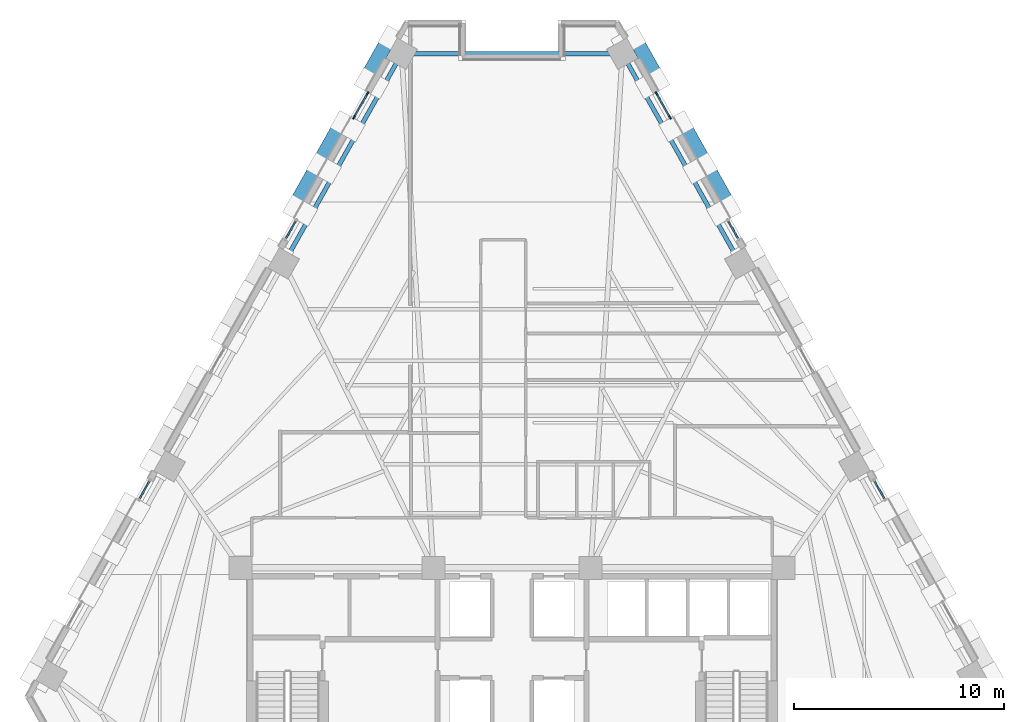
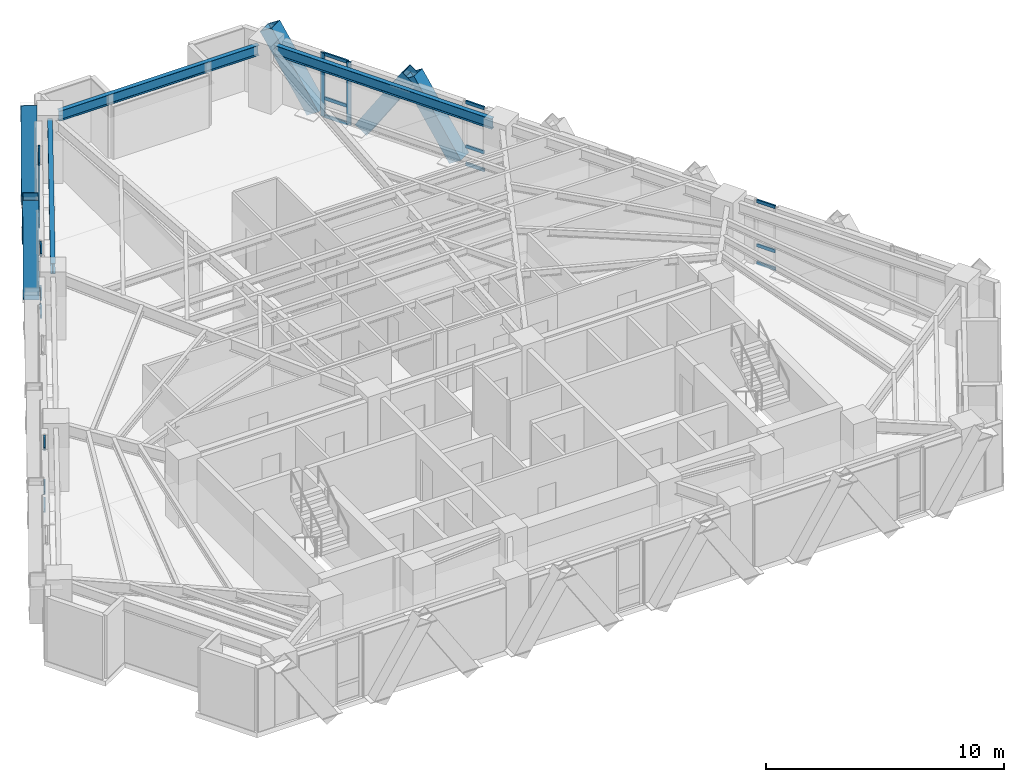
# One storey, part 5 of 13: 28 members, 3 beams, 6 elements without a shape of their own.
"""IFC4 building model written with IfcOpenShell, lengths in metres."""

import ifcopenshell
import ifcopenshell.guid

model = None  # the IFC model being written
_history = None  # IfcOwnerHistory: only IFC2X3 demands one
_inside = {}  # id of a spatial element -> (the spatial element, [elements in it])
_under = {}  # id of a project, library or spatial element -> (it, [spatial elements below it])
_declared = {}  # id of a project -> (the project, [libraries it declares])
_typed = {}  # id of a type object -> (the type object, [elements of that type])
_made_of = {}  # id of a material, layer set ... -> (it, [elements and type objects made of it])


def new_model(schema):
    """Start an empty IFC model of exactly this schema.

    Asked for "IFC4X3", IfcOpenShell would pick the latest addendum, in which some entities
    have other attributes; the version numbers below select the first issue.
    IFC2X3 requires an IfcOwnerHistory on every rooted entity: one is made here for all.
    """
    global model, _history
    if schema == "IFC4X3":
        model = ifcopenshell.file(schema_version=(4, 3, 0, 0))
    else:
        model = ifcopenshell.file(schema=schema)
    _inside.clear()
    _under.clear()
    _declared.clear()
    _typed.clear()
    _made_of.clear()
    _history = None
    if model.schema == "IFC2X3":
        org = make("IfcOrganization", Name="unknown")
        user = make(
            "IfcPersonAndOrganization",
            ThePerson=make("IfcPerson", FamilyName="unknown"),
            TheOrganization=org,
        )
        app = make(
            "IfcApplication",
            ApplicationDeveloper=org,
            Version="unknown",
            ApplicationFullName="unknown",
            ApplicationIdentifier="unknown",
        )
        _history = make(
            "IfcOwnerHistory",
            OwningUser=user,
            OwningApplication=app,
            ChangeAction="ADDED",
            CreationDate=0,
        )
    return model


def make(cls, **values):
    """One entity of the class cls with the attributes given. An attribute that is None is left unset."""
    return model.create_entity(
        cls, **{name: value for name, value in values.items() if value is not None}
    )


def rooted(cls, **values):
    """An entity with a GlobalId (a new one), such as an element, a storey or a relation."""
    return make(cls, GlobalId=ifcopenshell.guid.new(), OwnerHistory=_history, **values)


def si_unit(unit_type, name, prefix=None):
    """IfcSIUnit, for example si_unit("LENGTHUNIT", "METRE", prefix="MILLI")."""
    return make("IfcSIUnit", UnitType=unit_type, Prefix=prefix, Name=name)


def assignment(units):
    """IfcUnitAssignment: the units of a project."""
    return None if units is None else make("IfcUnitAssignment", Units=units)


def point(xyz):
    """IfcCartesianPoint."""
    return None if xyz is None else make("IfcCartesianPoint", Coordinates=xyz)


def direction(xyz):
    """IfcDirection."""
    return None if xyz is None else make("IfcDirection", DirectionRatios=xyz)


def frame(location, z_axis=None, x_axis=None):
    """IfcAxis2Placement3D, a coordinate frame: its origin and axes. An axis left out is left unset."""
    return make(
        "IfcAxis2Placement3D",
        Location=point(location),
        Axis=direction(z_axis),
        RefDirection=direction(x_axis),
    )


def frame_2d(location, x_axis=None):
    """IfcAxis2Placement2D, a coordinate frame in the plane: its origin and x axis."""
    return make(
        "IfcAxis2Placement2D", Location=point(location), RefDirection=direction(x_axis)
    )


def origin():
    """The frame at (0, 0, 0) with its axes left unset."""
    return frame((0.0, 0.0, 0.0))


def origin_2d():
    """The frame at (0, 0) in the plane with its x axis left unset."""
    return frame_2d((0.0, 0.0))


def place(relative_to, where):
    """IfcLocalPlacement: puts the frame where relative to a parent placement (None: the world)."""
    return make(
        "IfcLocalPlacement", PlacementRelTo=relative_to, RelativePlacement=where
    )


def context(
    kind, dimensions, precision=None, world=None, true_north=None, identifier=None
):
    """IfcGeometricRepresentationContext, for example the 3D "Model" context."""
    return make(
        "IfcGeometricRepresentationContext",
        ContextIdentifier=identifier,
        ContextType=kind,
        CoordinateSpaceDimension=dimensions,
        Precision=precision,
        WorldCoordinateSystem=world,
        TrueNorth=true_north,
    )


def subcontext(parent, identifier, kind, view, scale=None):
    """IfcGeometricRepresentationSubContext, for example "Body" below "Model"."""
    return make(
        "IfcGeometricRepresentationSubContext",
        ContextIdentifier=identifier,
        ContextType=kind,
        ParentContext=parent,
        TargetScale=scale,
        TargetView=view,
    )


def project(units=None, contexts=None):
    """IfcProject with its units and contexts."""
    return rooted(
        "IfcProject",
        Name="project",
        RepresentationContexts=contexts,
        UnitsInContext=assignment(units),
    )


def spatial(cls, under=None, at=None, **own):
    """A site, building, storey or space (cls), placed at a placement, below another one or the project."""
    s = rooted(cls, ObjectPlacement=at, **own)
    if under is not None:
        _under.setdefault(under.id(), (under, []))[1].append(s)
    return s


def profile(cls, at=None, kind="AREA", **sizes):
    """A parametric profile (cls). Its sizes go by their IFC names, for example OverallWidth=200.0."""
    return make(cls, ProfileType=kind, Position=at, **sizes)


def rectangle(**sizes):
    """IfcRectangleProfileDef."""
    return profile("IfcRectangleProfileDef", **sizes)


def hollow_rectangle(**sizes):
    """IfcRectangleHollowProfileDef."""
    return profile("IfcRectangleHollowProfileDef", **sizes)


def i_section(**sizes):
    """IfcIShapeProfileDef."""
    return profile("IfcIShapeProfileDef", **sizes)


def extrude(swept, where, along, depth):
    """IfcExtrudedAreaSolid: the profile swept, set in the frame where, extruded along a direction by depth."""
    return make(
        "IfcExtrudedAreaSolid",
        SweptArea=swept,
        Position=where,
        ExtrudedDirection=direction(along),
        Depth=depth,
    )


def shape(context_of_items, identifier, shape_type, items):
    """IfcShapeRepresentation: the items that make up one representation, for example the "Body"."""
    return make(
        "IfcShapeRepresentation",
        ContextOfItems=context_of_items,
        RepresentationIdentifier=identifier,
        RepresentationType=shape_type,
        Items=items,
    )


def material(Name=None, Category=None):
    """IfcMaterial."""
    return make("IfcMaterial", Name=Name, Category=Category)


def material_profile(
    of_material, cross_section, Name=None, Category=None, Priority=None
):
    """IfcMaterialProfile: a cross section and its material."""
    return make(
        "IfcMaterialProfile",
        Name=Name,
        Material=of_material,
        Profile=cross_section,
        Priority=Priority,
        Category=Category,
    )


def profile_set(profiles, Name=None, composite=None):
    """IfcMaterialProfileSet."""
    return make(
        "IfcMaterialProfileSet",
        Name=Name,
        MaterialProfiles=profiles,
        CompositeProfile=composite,
    )


def made_of(thing, what):
    """Note that an element or type object is made of a material, layer set ...; save() writes the relation."""
    if what is not None:
        _made_of.setdefault(what.id(), (what, []))[1].append(thing)
    return thing


def type_object(cls, material=None, **own):
    """A type object (cls), such as IfcWallType, which elements share."""
    return made_of(rooted(cls, **own), material)


def element(
    cls,
    number,
    at=None,
    inside=None,
    cuts=None,
    type_object=None,
    material=None,
    context=None,
    identifier="Body",
    shape_type=None,
    held_by="IfcProductDefinitionShape",
    body=None,
    shapes=None,
    **own,
):
    """One element of the class cls, such as IfcWall. Its Tag is "e" and its number.

    at: its placement. inside: the storey or other place that contains it. cuts: it is an
    opening in that element (IfcRelVoidsElement). A single representation is given by context,
    identifier, shape_type and body (its items); several are given by shapes. held_by: the class
    of the entity that holds the representations. save() writes the other relations.
    """
    e = rooted(cls, Tag="e%d" % number, ObjectPlacement=at, **own)
    if body is not None:
        shapes = [shape(context, identifier, shape_type, body)]
    if shapes is not None:
        e.Representation = make(held_by, Representations=shapes)
    if inside is not None:
        _inside.setdefault(inside.id(), (inside, []))[1].append(e)
    if cuts is not None:
        rooted(
            "IfcRelVoidsElement", RelatingBuildingElement=cuts, RelatedOpeningElement=e
        )
    if type_object is not None:
        _typed.setdefault(type_object.id(), (type_object, []))[1].append(e)
    return made_of(e, material)


def aggregate(whole, parts):
    """IfcRelAggregates: a whole, such as a stair, and the parts it consists of."""
    return rooted("IfcRelAggregates", RelatingObject=whole, RelatedObjects=parts)


def save(model, path):
    """Write the relations noted so far, then the file.

    IfcRelAggregates (storeys below a building ...), IfcRelContainedInSpatialStructure (elements
    in a storey), IfcRelDefinesByType, IfcRelAssociatesMaterial and IfcRelDeclares: one each for
    every whole, place, type object, material and project.
    """
    for whole, parts in _under.values():
        aggregate(whole, parts)
    for where, things in _inside.values():
        rooted(
            "IfcRelContainedInSpatialStructure",
            RelatedElements=things,
            RelatingStructure=where,
        )
    for kind, things in _typed.values():
        rooted("IfcRelDefinesByType", RelatedObjects=things, RelatingType=kind)
    for what, things in _made_of.values():
        rooted("IfcRelAssociatesMaterial", RelatedObjects=things, RelatingMaterial=what)
    for by, libraries in _declared.values():
        rooted("IfcRelDeclares", RelatingContext=by, RelatedDefinitions=libraries)
    model.write(path)


model = new_model("IFC4")

# Units and contexts
model_context = context("Model", 3, precision=1e-05, world=origin(), true_north=direction((0.0, 1.0)))
body_context = subcontext(model_context, "Body", "Model", "MODEL_VIEW")
ifc_project = project(units=[si_unit("LENGTHUNIT", "METRE"), si_unit("AREAUNIT", "SQUARE_METRE"), si_unit("VOLUMEUNIT", "CUBIC_METRE"), si_unit("PLANEANGLEUNIT", "RADIAN"), si_unit("MASSUNIT", "GRAM", prefix="KILO")], contexts=[model_context])

# Site, building, storey
site_placement = place(None, origin())
site = spatial("IfcSite", under=ifc_project, at=site_placement, CompositionType="ELEMENT")
building_placement = place(site_placement, origin())
building = spatial("IfcBuilding", under=site, at=building_placement, Name="Quenlor Broadcast Tower", CompositionType="ELEMENT")
storey_placement = place(building_placement, frame((0.0, 0.0, 116.0)))
storey = spatial("IfcBuildingStorey", under=building, at=storey_placement, Name="L31", CompositionType="ELEMENT", Elevation=116.0)

# Curtain wall, members
ifc_material_1 = material(Name="Architectural Terracotta and Low-E Glazing", Category="masonry")
curtain_wall_type = type_object("IfcCurtainWallType", Name="Unitised Terracotta Curtain Wall System Z2", PredefinedType="NOTDEFINED", material=ifc_material_1)
curtain_wall_1_placement = place(storey_placement, origin())
curtain_wall_1 = element("IfcCurtainWall", 1, at=curtain_wall_1_placement, inside=storey, type_object=curtain_wall_type, Name="L31 Curtain Wall CW2 (L31-NEA-G1)", PredefinedType="NOTDEFINED")
ifc_material_2 = material(Name="Aluminium 6063-T6", Category="aluminium")
ifc_material_profile_1 = material_profile(ifc_material_2, rectangle(XDim=0.074951171875, YDim=0.199951171875, at=origin_2d()))
ifc_profile_set_1 = profile_set([ifc_material_profile_1], Name="Aluminium 6063-T6 MULL75x200")
member_type_1 = type_object("IfcMemberType", Name="CW2 Aluminium Mullion MULL_CW2", PredefinedType="MULLION", material=ifc_profile_set_1)
member_1_placement = place(storey_placement, frame((6.893310546875, 17.81884765625, 0.0), z_axis=(0.0, 0.0, 1.0), x_axis=(0.871583366376, 0.490247320704, 0.0)))
member_1 = element("IfcMember", 2, at=member_1_placement, type_object=member_type_1, Name="CW2 mullion 1", PredefinedType="MULLION", context=body_context, shape_type="SweptSolid", body=[
    extrude(rectangle(XDim=0.074951171875, YDim=0.199951171875, at=origin_2d()), origin(), (0.0, 0.0, 1.0), 3.25),
])
member_2_placement = place(storey_placement, frame((7.525390625, 16.695068359375, 0.0), z_axis=(0.0, 0.0, 1.0), x_axis=(0.871583366376, 0.490247320704, 0.0)))
member_2 = element("IfcMember", 3, at=member_2_placement, type_object=member_type_1, Name="CW2 mullion 2", PredefinedType="MULLION", context=body_context, shape_type="SweptSolid", body=[
    extrude(rectangle(XDim=0.074951171875, YDim=0.199951171875, at=origin_2d()), origin(), (0.0, 0.0, 1.0), 3.25),
])

curtain_wall_2_placement = place(storey_placement, origin())
curtain_wall_2 = element("IfcCurtainWall", 4, at=curtain_wall_2_placement, inside=storey, type_object=curtain_wall_type, Name="L31 Curtain Wall CW2 (L31-NWC-G2)", PredefinedType="NOTDEFINED")
member_3_placement = place(storey_placement, frame((-7.525390625, 16.695068359375, 0.0), z_axis=(0.0, 0.0, 1.0), x_axis=(-0.871583366376, 0.490247320704, 0.0)))
member_3 = element("IfcMember", 5, at=member_3_placement, type_object=member_type_1, Name="CW2 mullion 1", PredefinedType="MULLION", context=body_context, shape_type="SweptSolid", body=[
    extrude(rectangle(XDim=0.074951171875, YDim=0.199951171875, at=origin_2d()), origin(), (0.0, 0.0, 1.0), 3.25),
])
member_4_placement = place(storey_placement, frame((-6.893310546875, 17.81884765625, 0.0), z_axis=(0.0, 0.0, 1.0), x_axis=(-0.871583366376, 0.490247320704, 0.0)))
member_4 = element("IfcMember", 6, at=member_4_placement, type_object=member_type_1, Name="CW2 mullion 2", PredefinedType="MULLION", context=body_context, shape_type="SweptSolid", body=[
    extrude(rectangle(XDim=0.074951171875, YDim=0.199951171875, at=origin_2d()), origin(), (0.0, 0.0, 1.0), 3.25),
])

# Member
ifc_material_3 = material(Name="Aluminium 6063-T6", Category="aluminium")
ifc_material_profile_2 = material_profile(ifc_material_3, rectangle(XDim=0.074951171875, YDim=0.1650390625, at=origin_2d()))
ifc_profile_set_2 = profile_set([ifc_material_profile_2], Name="Aluminium 6063-T6 TRAN75x165")
member_type_2 = type_object("IfcMemberType", Name="CW2 Aluminium Transom TRAN_CW2", PredefinedType="USERDEFINED", material=ifc_profile_set_2)
member_5_placement = place(storey_placement, frame((6.91162109375, 17.7861328125, 0.03759765625), z_axis=(0.490347143438, -0.871527210661, 0.0), x_axis=(0.871527210661, 0.490347143438, 0.0)))
member_5 = element("IfcMember", 7, at=member_5_placement, type_object=member_type_2, Name="CW2 transom 1.1", ObjectType="TRANSOM", PredefinedType="USERDEFINED", context=body_context, shape_type="SweptSolid", body=[
    extrude(rectangle(XDim=0.074951171875, YDim=0.1650390625, at=origin_2d()), origin(), (0.0, 0.0, 1.0), 1.21435546875),
])

member_6_placement = place(storey_placement, frame((6.91162109375, 17.7861328125, 0.949951171875), z_axis=(0.490347143438, -0.871527210661, 0.0), x_axis=(0.871527210661, 0.490347143438, 0.0)))
member_6 = element("IfcMember", 8, at=member_6_placement, type_object=member_type_2, Name="CW2 transom 1.2", ObjectType="TRANSOM", PredefinedType="USERDEFINED", context=body_context, shape_type="SweptSolid", body=[
    extrude(rectangle(XDim=0.074951171875, YDim=0.1650390625, at=origin_2d()), origin(), (0.0, 0.0, 1.0), 1.21435546875),
])

member_7_placement = place(storey_placement, frame((6.91162109375, 17.7861328125, 3.21240234375), z_axis=(0.490347143438, -0.871527210661, 0.0), x_axis=(0.871527210661, 0.490347143438, 0.0)))
member_7 = element("IfcMember", 9, at=member_7_placement, type_object=member_type_2, Name="CW2 transom 1.3", ObjectType="TRANSOM", PredefinedType="USERDEFINED", context=body_context, shape_type="SweptSolid", body=[
    extrude(rectangle(XDim=0.074951171875, YDim=0.1650390625, at=origin_2d()), origin(), (0.0, 0.0, 1.0), 1.21435546875),
])

aggregate(curtain_wall_1, [member_1, member_2, member_5, member_6, member_7])

# Curtain wall, members
curtain_wall_3_placement = place(storey_placement, origin())
curtain_wall_3 = element("IfcCurtainWall", 10, at=curtain_wall_3_placement, inside=storey, type_object=curtain_wall_type, Name="L31 Curtain Wall CW2 (L31-NEA-G2)", PredefinedType="NOTDEFINED")
member_8_placement = place(storey_placement, frame((10.32470703125, 11.718505859375, 0.03759765625), z_axis=(0.490363403455, -0.871518062092, 0.0), x_axis=(0.871518062092, 0.490363403455, 0.0)))
member_8 = element("IfcMember", 11, at=member_8_placement, type_object=member_type_2, Name="CW2 transom 1.1", ObjectType="TRANSOM", PredefinedType="USERDEFINED", context=body_context, shape_type="SweptSolid", body=[
    extrude(rectangle(XDim=0.074951171875, YDim=0.1650390625, at=origin_2d()), origin(), (0.0, 0.0, 1.0), 0.90771484375),
])
member_9_placement = place(storey_placement, frame((10.32470703125, 11.718505859375, 0.949951171875), z_axis=(0.490363403455, -0.871518062092, 0.0), x_axis=(0.871518062092, 0.490363403455, 0.0)))
member_9 = element("IfcMember", 12, at=member_9_placement, type_object=member_type_2, Name="CW2 transom 1.2", ObjectType="TRANSOM", PredefinedType="USERDEFINED", context=body_context, shape_type="SweptSolid", body=[
    extrude(rectangle(XDim=0.074951171875, YDim=0.1650390625, at=origin_2d()), origin(), (0.0, 0.0, 1.0), 0.90771484375),
])
member_10_placement = place(storey_placement, frame((10.32470703125, 11.718505859375, 3.21240234375), z_axis=(0.490363403455, -0.871518062092, 0.0), x_axis=(0.871518062092, 0.490363403455, 0.0)))
member_10 = element("IfcMember", 13, at=member_10_placement, type_object=member_type_2, Name="CW2 transom 1.3", ObjectType="TRANSOM", PredefinedType="USERDEFINED", context=body_context, shape_type="SweptSolid", body=[
    extrude(rectangle(XDim=0.074951171875, YDim=0.1650390625, at=origin_2d()), origin(), (0.0, 0.0, 1.0), 0.90771484375),
])
aggregate(curtain_wall_3, [member_8, member_9, member_10])

curtain_wall_4_placement = place(storey_placement, origin())
curtain_wall_4 = element("IfcCurtainWall", 14, at=curtain_wall_4_placement, inside=storey, type_object=curtain_wall_type, Name="L31 Curtain Wall CW2 (L31-NEC-G1)", PredefinedType="NOTDEFINED")
member_11_placement = place(storey_placement, frame((17.30126953125, -0.684326171875, 0.03759765625), z_axis=(0.490363403455, -0.871518062092, 0.0), x_axis=(0.871518062092, 0.490363403455, 0.0)))
member_11 = element("IfcMember", 15, at=member_11_placement, type_object=member_type_2, Name="CW2 transom 1.1", ObjectType="TRANSOM", PredefinedType="USERDEFINED", context=body_context, shape_type="SweptSolid", body=[
    extrude(rectangle(XDim=0.074951171875, YDim=0.1650390625, at=origin_2d()), origin(), (0.0, 0.0, 1.0), 0.90771484375),
])
member_12_placement = place(storey_placement, frame((17.30126953125, -0.684326171875, 0.949951171875), z_axis=(0.490363403455, -0.871518062092, 0.0), x_axis=(0.871518062092, 0.490363403455, 0.0)))
member_12 = element("IfcMember", 16, at=member_12_placement, type_object=member_type_2, Name="CW2 transom 1.2", ObjectType="TRANSOM", PredefinedType="USERDEFINED", context=body_context, shape_type="SweptSolid", body=[
    extrude(rectangle(XDim=0.074951171875, YDim=0.1650390625, at=origin_2d()), origin(), (0.0, 0.0, 1.0), 0.90771484375),
])
member_13_placement = place(storey_placement, frame((17.30126953125, -0.684326171875, 3.21240234375), z_axis=(0.490363403455, -0.871518062092, 0.0), x_axis=(0.871518062092, 0.490363403455, 0.0)))
member_13 = element("IfcMember", 17, at=member_13_placement, type_object=member_type_2, Name="CW2 transom 1.3", ObjectType="TRANSOM", PredefinedType="USERDEFINED", context=body_context, shape_type="SweptSolid", body=[
    extrude(rectangle(XDim=0.074951171875, YDim=0.1650390625, at=origin_2d()), origin(), (0.0, 0.0, 1.0), 0.90771484375),
])
aggregate(curtain_wall_4, [member_11, member_12, member_13])

curtain_wall_5_placement = place(storey_placement, origin())
curtain_wall_5 = element("IfcCurtainWall", 18, at=curtain_wall_5_placement, inside=storey, type_object=curtain_wall_type, Name="L31 Curtain Wall CW2 (L31-NWA-G2)", PredefinedType="NOTDEFINED")
member_14_placement = place(storey_placement, frame((-17.746337890625, -1.475341796875, 0.03759765625), z_axis=(0.490363403455, 0.871518062092, 0.0), x_axis=(-0.871518062092, 0.490363403455, 0.0)))
member_14 = element("IfcMember", 19, at=member_14_placement, type_object=member_type_2, Name="CW2 transom 1.1", ObjectType="TRANSOM", PredefinedType="USERDEFINED", context=body_context, shape_type="SweptSolid", body=[
    extrude(rectangle(XDim=0.074951171875, YDim=0.1650390625, at=origin_2d()), origin(), (0.0, 0.0, 1.0), 0.90771484375),
])
member_15_placement = place(storey_placement, frame((-17.746337890625, -1.475341796875, 0.949951171875), z_axis=(0.490363403455, 0.871518062092, 0.0), x_axis=(-0.871518062092, 0.490363403455, 0.0)))
member_15 = element("IfcMember", 20, at=member_15_placement, type_object=member_type_2, Name="CW2 transom 1.2", ObjectType="TRANSOM", PredefinedType="USERDEFINED", context=body_context, shape_type="SweptSolid", body=[
    extrude(rectangle(XDim=0.074951171875, YDim=0.1650390625, at=origin_2d()), origin(), (0.0, 0.0, 1.0), 0.90771484375),
])
member_16_placement = place(storey_placement, frame((-17.746337890625, -1.475341796875, 3.21240234375), z_axis=(0.490363403455, 0.871518062092, 0.0), x_axis=(-0.871518062092, 0.490363403455, 0.0)))
member_16 = element("IfcMember", 21, at=member_16_placement, type_object=member_type_2, Name="CW2 transom 1.3", ObjectType="TRANSOM", PredefinedType="USERDEFINED", context=body_context, shape_type="SweptSolid", body=[
    extrude(rectangle(XDim=0.074951171875, YDim=0.1650390625, at=origin_2d()), origin(), (0.0, 0.0, 1.0), 0.90771484375),
])
aggregate(curtain_wall_5, [member_14, member_15, member_16])

curtain_wall_6_placement = place(storey_placement, origin())
curtain_wall_6 = element("IfcCurtainWall", 22, at=curtain_wall_6_placement, inside=storey, type_object=curtain_wall_type, Name="L31 Curtain Wall CW2 (L31-NWC-G1)", PredefinedType="NOTDEFINED")
member_17_placement = place(storey_placement, frame((-10.769775390625, 10.927490234375, 0.03759765625), z_axis=(0.490363403455, 0.871518062092, 0.0), x_axis=(-0.871518062092, 0.490363403455, 0.0)))
member_17 = element("IfcMember", 23, at=member_17_placement, type_object=member_type_2, Name="CW2 transom 1.1", ObjectType="TRANSOM", PredefinedType="USERDEFINED", context=body_context, shape_type="SweptSolid", body=[
    extrude(rectangle(XDim=0.074951171875, YDim=0.1650390625, at=origin_2d()), origin(), (0.0, 0.0, 1.0), 0.90771484375),
])
member_18_placement = place(storey_placement, frame((-10.769775390625, 10.927490234375, 0.949951171875), z_axis=(0.490363403455, 0.871518062092, 0.0), x_axis=(-0.871518062092, 0.490363403455, 0.0)))
member_18 = element("IfcMember", 24, at=member_18_placement, type_object=member_type_2, Name="CW2 transom 1.2", ObjectType="TRANSOM", PredefinedType="USERDEFINED", context=body_context, shape_type="SweptSolid", body=[
    extrude(rectangle(XDim=0.074951171875, YDim=0.1650390625, at=origin_2d()), origin(), (0.0, 0.0, 1.0), 0.90771484375),
])
member_19_placement = place(storey_placement, frame((-10.769775390625, 10.927490234375, 3.21240234375), z_axis=(0.490363403455, 0.871518062092, 0.0), x_axis=(-0.871518062092, 0.490363403455, 0.0)))
member_19 = element("IfcMember", 25, at=member_19_placement, type_object=member_type_2, Name="CW2 transom 1.3", ObjectType="TRANSOM", PredefinedType="USERDEFINED", context=body_context, shape_type="SweptSolid", body=[
    extrude(rectangle(XDim=0.074951171875, YDim=0.1650390625, at=origin_2d()), origin(), (0.0, 0.0, 1.0), 0.90771484375),
])
aggregate(curtain_wall_6, [member_17, member_18, member_19])

# Member
member_20_placement = place(storey_placement, frame((-7.507080078125, 16.727783203125, 0.03759765625), z_axis=(0.490347143438, 0.871527210661, 0.0), x_axis=(-0.871527210661, 0.490347143438, 0.0)))
member_20 = element("IfcMember", 26, at=member_20_placement, type_object=member_type_2, Name="CW2 transom 1.1", ObjectType="TRANSOM", PredefinedType="USERDEFINED", context=body_context, shape_type="SweptSolid", body=[
    extrude(rectangle(XDim=0.074951171875, YDim=0.1650390625, at=origin_2d()), origin(), (0.0, 0.0, 1.0), 1.21435546875),
])

member_21_placement = place(storey_placement, frame((-7.507080078125, 16.727783203125, 0.949951171875), z_axis=(0.490347143438, 0.871527210661, 0.0), x_axis=(-0.871527210661, 0.490347143438, 0.0)))
member_21 = element("IfcMember", 27, at=member_21_placement, type_object=member_type_2, Name="CW2 transom 1.2", ObjectType="TRANSOM", PredefinedType="USERDEFINED", context=body_context, shape_type="SweptSolid", body=[
    extrude(rectangle(XDim=0.074951171875, YDim=0.1650390625, at=origin_2d()), origin(), (0.0, 0.0, 1.0), 1.21435546875),
])

member_22_placement = place(storey_placement, frame((-7.507080078125, 16.727783203125, 3.21240234375), z_axis=(0.490347143438, 0.871527210661, 0.0), x_axis=(-0.871527210661, 0.490347143438, 0.0)))
member_22 = element("IfcMember", 28, at=member_22_placement, type_object=member_type_2, Name="CW2 transom 1.3", ObjectType="TRANSOM", PredefinedType="USERDEFINED", context=body_context, shape_type="SweptSolid", body=[
    extrude(rectangle(XDim=0.074951171875, YDim=0.1650390625, at=origin_2d()), origin(), (0.0, 0.0, 1.0), 1.21435546875),
])

aggregate(curtain_wall_2, [member_3, member_4, member_20, member_21, member_22])

# Members
ifc_material_4 = material(Name="Steel S355", Category="steel")
ifc_material_profile_3 = material_profile(ifc_material_4, hollow_rectangle(XDim=0.679931640625, YDim=0.679931640625, WallThickness=0.030029296875, at=origin_2d()))
ifc_profile_set_3 = profile_set([ifc_material_profile_3], Name="Steel S355 RHS680x680x30")
member_type_3 = type_object("IfcMemberType", Name="Perimeter Diagonal Lattice Brace Z2 Steel S355 RHS680x30", PredefinedType="BRACE", material=ifc_profile_set_3)
for number, where, z_axis, x_axis, name in (
    (29, (8.12939453125, 16.42724609375, -0.1201171875), (0.268642373731, -0.477592925498, 0.83650240439), (0.871578380919, 0.490256183964, 0.0), "L31 Perimeter Diamond Lattice NE-C1S"),
    (30, (6.977783203125, 18.47412109375, -0.1201171875), (-0.26858823371, 0.477600411236, 0.836515515636), (-0.871623880158, -0.490175286544, 0.0), "L31 Perimeter Diamond Lattice NE-C1B"),
    (31, (10.39111328125, 12.406494140625, -0.1201171875), (-0.268642373731, 0.477592925498, 0.83650240439), (-0.871578380919, -0.490256183964, 0.0), "L31 Perimeter Diamond Lattice NE-C2B"),
    (32, (-10.39111328125, 12.406494140625, -0.1201171875), (0.268642373731, 0.477592925498, 0.83650240439), (-0.871578380919, 0.490256183964, 0.0), "L31 Perimeter Diamond Lattice NW-C4S"),
    (33, (-6.977783203125, 18.47412109375, -0.1201171875), (0.26858823371, 0.477600411236, 0.836515515636), (-0.871623880158, 0.490175286544, 0.0), "L31 Perimeter Diamond Lattice NW-C5S"),
    (34, (-8.12939453125, 16.42724609375, -0.1201171875), (-0.268642373731, -0.477592925498, 0.83650240439), (0.871578380919, -0.490256183964, 0.0), "L31 Perimeter Diamond Lattice NW-C5B"),
):
    element("IfcMember", number, at=place(storey_placement, frame(where, z_axis=z_axis, x_axis=x_axis)), inside=storey, type_object=member_type_3, Name=name, PredefinedType="BRACE", context=body_context, shape_type="SweptSolid", body=[
        extrude(hollow_rectangle(XDim=0.679931640625, YDim=0.679931640625, WallThickness=0.030029296875, at=origin_2d()), origin(), (0.0, 0.0, 1.0), 4.18408203125),
    ])

# Beams
ifc_material_5 = material(Name="Steel S355", Category="steel")
ifc_material_profile_4 = material_profile(ifc_material_5, i_section(OverallWidth=0.208984375, OverallDepth=0.5283203125, WebThickness=0.009521484375, FlangeThickness=0.01318359375, FilletRadius=0.013916015625, at=origin_2d()))
ifc_profile_set_4 = profile_set([ifc_material_profile_4], Name="Steel S355 530UB82.0")
beam_type = type_object("IfcBeamType", Name="Perimeter Spandrel Beam Z2 Steel S355 530UB82.0", PredefinedType="SPANDREL", material=ifc_profile_set_4)
beam_1_placement = place(storey_placement, frame((10.685791015625, 10.076904296875, 2.98583984375), z_axis=(-0.490236213386, 0.871589613916, 0.0), x_axis=(-0.871589613916, -0.490236213386, 0.0)))
element("IfcBeam", 35, at=beam_1_placement, inside=storey, type_object=beam_type, Name="L31 Spandrel Beam NE3-NE4", PredefinedType="SPANDREL", context=body_context, shape_type="SweptSolid", body=[
    extrude(i_section(OverallWidth=0.208984375, OverallDepth=0.5283203125, WebThickness=0.009521484375, FlangeThickness=0.01318359375, FilletRadius=0.013916015625, at=origin_2d()), origin(), (0.0, 0.0, 1.0), 10.65283203125),
])
beam_2_placement = place(storey_placement, frame((4.852294921875, 19.718994140625, 2.98583984375), z_axis=(-1.0, 0.0, 0.0), x_axis=(0.0, -1.0, 0.0)))
element("IfcBeam", 36, at=beam_2_placement, inside=storey, type_object=beam_type, Name="L31 Spandrel Beam NE4-NW1", PredefinedType="SPANDREL", context=body_context, shape_type="SweptSolid", body=[
    extrude(i_section(OverallWidth=0.208984375, OverallDepth=0.5283203125, WebThickness=0.009521484375, FlangeThickness=0.01318359375, FilletRadius=0.013916015625, at=origin_2d()), origin(), (0.0, 0.0, 1.0), 9.70458984375),
])
beam_3_placement = place(storey_placement, frame((-5.46337890625, 19.36181640625, 2.98583984375), z_axis=(-0.490236213386, -0.871589613916, 0.0), x_axis=(0.871589613916, -0.490236213386, 0.0)))
element("IfcBeam", 37, at=beam_3_placement, inside=storey, type_object=beam_type, Name="L31 Spandrel Beam NW1-NW2", PredefinedType="SPANDREL", context=body_context, shape_type="SweptSolid", body=[
    extrude(i_section(OverallWidth=0.208984375, OverallDepth=0.5283203125, WebThickness=0.009521484375, FlangeThickness=0.01318359375, FilletRadius=0.013916015625, at=origin_2d()), origin(), (0.0, 0.0, 1.0), 10.65283203125),
])

save(model, "model.ifc")
